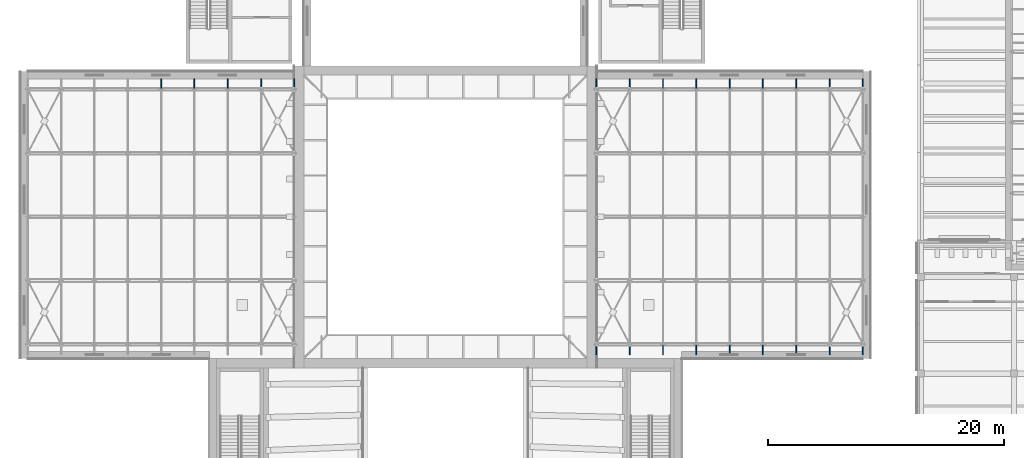
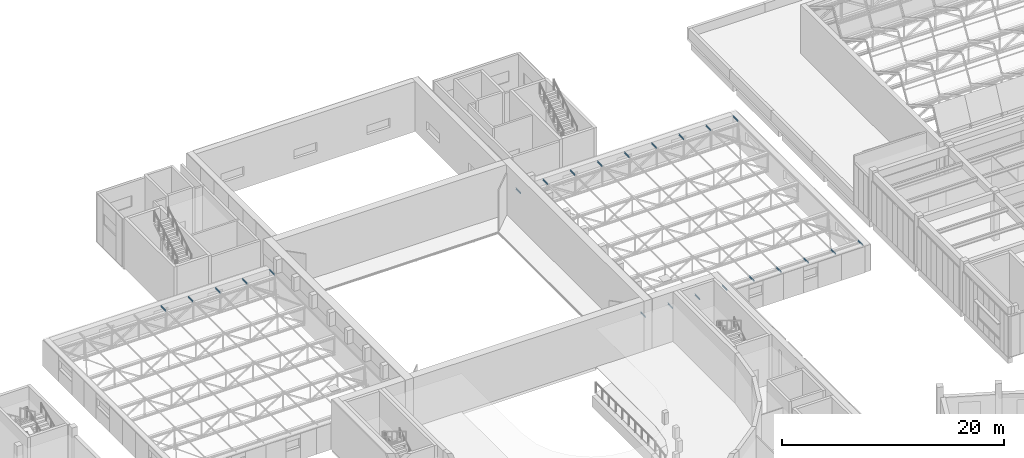
# One storey, part 59 of 132: 23 members.
"""IFC4 building model written with IfcOpenShell, lengths in metres."""

from ifc_helpers import new_model, si_unit, direction, frame, origin, origin_2d, place, context, subcontext, project, spatial, i_section, extrude, material, material_profile, profile_set, type_object, element, save


model = new_model("IFC4")

# Units and contexts
model_context = context("Model", 3, precision=1e-05, world=origin(), true_north=direction((0.0, 1.0)))
body_context = subcontext(model_context, "Body", "Model", "MODEL_VIEW")
ifc_project = project(units=[si_unit("LENGTHUNIT", "METRE"), si_unit("AREAUNIT", "SQUARE_METRE"), si_unit("VOLUMEUNIT", "CUBIC_METRE"), si_unit("PLANEANGLEUNIT", "RADIAN"), si_unit("MASSUNIT", "GRAM", prefix="KILO")], contexts=[model_context])

# Site, building, storey
site_placement = place(None, origin())
site = spatial("IfcSite", under=ifc_project, at=site_placement, CompositionType="ELEMENT")
building_placement = place(site_placement, origin())
building = spatial("IfcBuilding", under=site, at=building_placement, Name="Lunette Opera House", CompositionType="ELEMENT")
storey_placement = place(building_placement, frame((0.0, 0.0, 17.0)))
storey = spatial("IfcBuildingStorey", under=building, at=storey_placement, Name="L03", CompositionType="ELEMENT", Elevation=17.0)

# Members
ifc_material = material(Name="Steel S355", Category="steel")
ifc_material_profile = material_profile(ifc_material, i_section(OverallWidth=0.08203125, OverallDepth=0.159912109375, WebThickness=0.0048828125, FlangeThickness=0.00732421875, FilletRadius=0.009033203125, at=origin_2d()), Name="IPE 160")
ifc_profile_set = profile_set([ifc_material_profile], Name="Steel S355")
member_type = type_object("IfcMemberType", Name="PURLIN IPE 160", PredefinedType="PURLIN", material=ifc_profile_set)
for number, where, z_axis, x_axis, name in (
    (1, (71.89990234375, 118.800048828125, 2.800048828125), (0.0, 1.0, 0.0), (-1.0, 0.0, 0.0), "mem-ST-L03-SW-TR-PU5-6"),
    (2, (74.72509765625, 118.800048828125, 2.800048828125), (0.0, 1.0, 0.0), (-1.0, 0.0, 0.0), "mem-ST-L03-SW-TR-PU6-6"),
    (3, (77.550048828125, 118.800048828125, 2.800048828125), (0.0, 1.0, 0.0), (-1.0, 0.0, 0.0), "mem-ST-L03-SW-TR-PU7-6"),
    (4, (80.375, 118.800048828125, 2.800048828125), (0.0, 1.0, 0.0), (-1.0, 0.0, 0.0), "mem-ST-L03-SW-TR-PU8-6"),
    (5, (83.199951171875, 118.800048828125, 2.800048828125), (0.0, 1.0, 0.0), (-1.0, 0.0, 0.0), "mem-ST-L03-SW-TR-PU9-6"),
    (6, (108.800048828125, 96.300048828125, 2.800048828125), (0.0, 1.0, 0.0), (-1.0, 0.0, 0.0), "mem-ST-L03-SE-TR-PU1-1"),
    (7, (108.800048828125, 118.800048828125, 2.800048828125), (0.0, 1.0, 0.0), (-1.0, 0.0, 0.0), "mem-ST-L03-SE-TR-PU1-6"),
    (8, (111.625, 96.300048828125, 2.800048828125), (0.0, 1.0, 0.0), (-1.0, 0.0, 0.0), "mem-ST-L03-SE-TR-PU2-1"),
    (9, (111.625, 118.800048828125, 2.800048828125), (0.0, 1.0, 0.0), (-1.0, 0.0, 0.0), "mem-ST-L03-SE-TR-PU2-6"),
    (10, (114.449951171875, 96.300048828125, 2.800048828125), (0.0, 1.0, 0.0), (-1.0, 0.0, 0.0), "mem-ST-L03-SE-TR-PU3-1"),
    (11, (114.449951171875, 118.800048828125, 2.800048828125), (0.0, 1.0, 0.0), (-1.0, 0.0, 0.0), "mem-ST-L03-SE-TR-PU3-6"),
    (12, (117.27490234375, 96.300048828125, 2.800048828125), (0.0, 1.0, 0.0), (-1.0, 0.0, 0.0), "mem-ST-L03-SE-TR-PU4-1"),
    (13, (117.27490234375, 118.800048828125, 2.800048828125), (0.0, 1.0, 0.0), (-1.0, 0.0, 0.0), "mem-ST-L03-SE-TR-PU4-6"),
    (14, (120.10009765625, 96.300048828125, 2.800048828125), (0.0, 1.0, 0.0), (-1.0, 0.0, 0.0), "mem-ST-L03-SE-TR-PU5-1"),
    (15, (120.10009765625, 118.800048828125, 2.800048828125), (0.0, 1.0, 0.0), (-1.0, 0.0, 0.0), "mem-ST-L03-SE-TR-PU5-6"),
    (16, (122.925048828125, 96.300048828125, 2.800048828125), (0.0, 1.0, 0.0), (-1.0, 0.0, 0.0), "mem-ST-L03-SE-TR-PU6-1"),
    (17, (122.925048828125, 118.800048828125, 2.800048828125), (0.0, 1.0, 0.0), (-1.0, 0.0, 0.0), "mem-ST-L03-SE-TR-PU6-6"),
    (18, (125.75, 96.300048828125, 2.800048828125), (0.0, 1.0, 0.0), (-1.0, 0.0, 0.0), "mem-ST-L03-SE-TR-PU7-1"),
    (19, (125.75, 118.800048828125, 2.800048828125), (0.0, 1.0, 0.0), (-1.0, 0.0, 0.0), "mem-ST-L03-SE-TR-PU7-6"),
    (20, (128.574951171875, 96.300048828125, 2.800048828125), (0.0, 1.0, 0.0), (-1.0, 0.0, 0.0), "mem-ST-L03-SE-TR-PU8-1"),
    (21, (128.574951171875, 118.800048828125, 2.800048828125), (0.0, 1.0, 0.0), (-1.0, 0.0, 0.0), "mem-ST-L03-SE-TR-PU8-6"),
    (22, (131.39990234375, 96.300048828125, 2.800048828125), (0.0, 1.0, 0.0), (-1.0, 0.0, 0.0), "mem-ST-L03-SE-TR-PU9-1"),
    (23, (131.39990234375, 118.800048828125, 2.800048828125), (0.0, 1.0, 0.0), (-1.0, 0.0, 0.0), "mem-ST-L03-SE-TR-PU9-6"),
):
    element("IfcMember", number, at=place(storey_placement, frame(where, z_axis=z_axis, x_axis=x_axis)), inside=storey, type_object=member_type, Name=name, PredefinedType="PURLIN", context=body_context, shape_type="SweptSolid", body=[
        extrude(i_section(OverallWidth=0.08203125, OverallDepth=0.159912109375, WebThickness=0.0048828125, FlangeThickness=0.00732421875, FilletRadius=0.009033203125, at=origin_2d()), origin(), (0.0, 0.0, 1.0), 0.89990234375),
    ])

save(model, "model.ifc")
